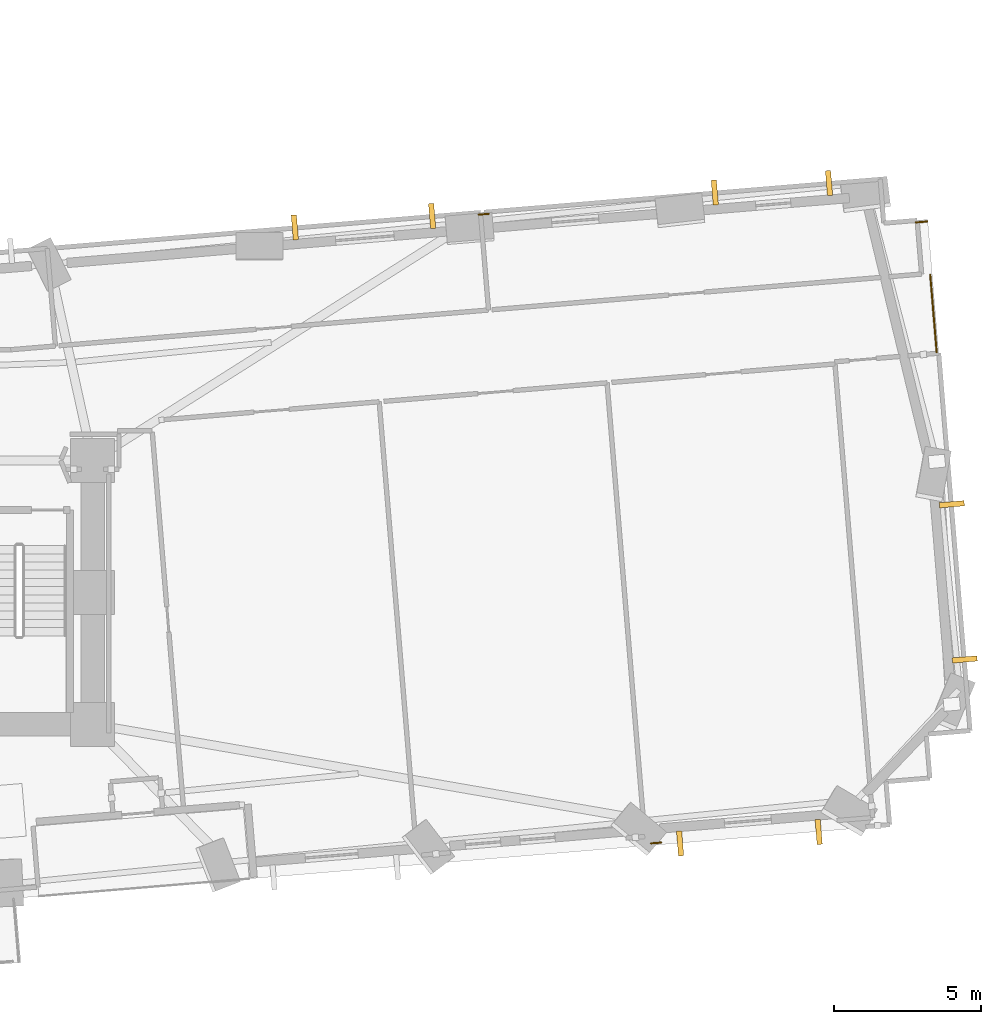
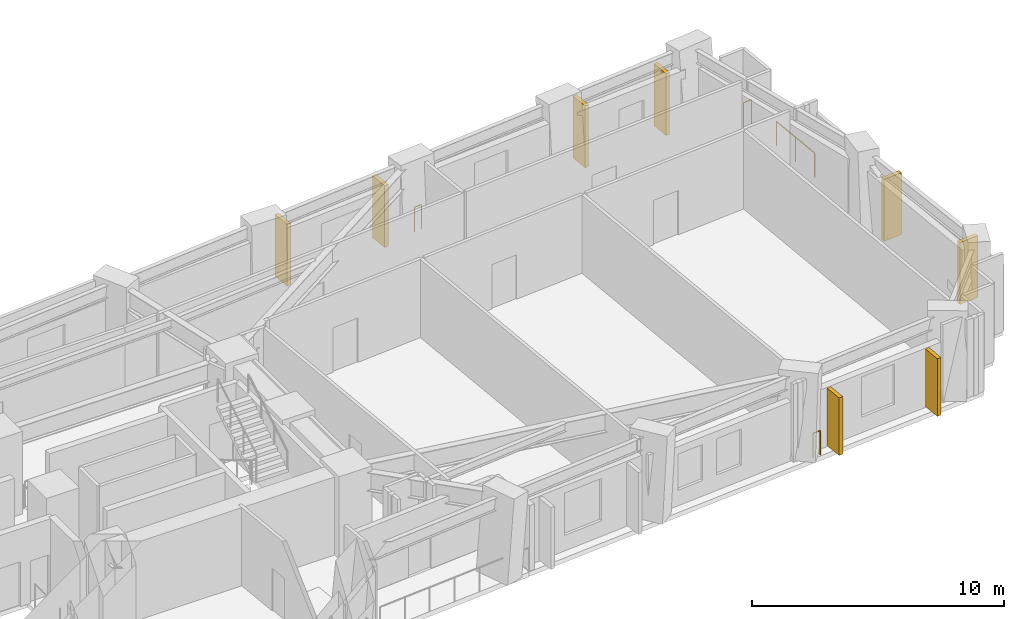
# One storey, part 13 of 14: 8 shading devices, 4 railings.
"""IFC4 building model written with IfcOpenShell, lengths in metres."""

from ifc_helpers import new_model, si_unit, direction, frame, origin, origin_2d, place, context, subcontext, project, spatial, rectangle, circle, extrude, material, layer, layer_set, type_object, element, save


model = new_model("IFC4")

# Units and contexts
model_context = context("Model", 3, precision=1e-05, world=origin(), true_north=direction((0.0, 1.0)))
body_context = subcontext(model_context, "Body", "Model", "MODEL_VIEW")
ifc_project = project(units=[si_unit("LENGTHUNIT", "METRE"), si_unit("AREAUNIT", "SQUARE_METRE"), si_unit("VOLUMEUNIT", "CUBIC_METRE"), si_unit("PLANEANGLEUNIT", "RADIAN"), si_unit("MASSUNIT", "GRAM", prefix="KILO")], contexts=[model_context])

# Site, building, storey
site_placement = place(None, origin())
site = spatial("IfcSite", under=ifc_project, at=site_placement, CompositionType="ELEMENT")
building_placement = place(site_placement, origin())
building = spatial("IfcBuilding", under=site, at=building_placement, Name="Gaonmaruhae Medical Tower", CompositionType="ELEMENT")
storey_placement = place(building_placement, frame((0.0, 0.0, 43.0)))
storey = spatial("IfcBuildingStorey", under=building, at=storey_placement, Name="L09", CompositionType="ELEMENT", Elevation=43.0)

# Railings
ifc_material_1 = material(Name="Stainless steel 316L and laminated safety glass", Category="steel")
ifc_layer = layer(ifc_material_1, 0.080078125)
ifc_layer_set = layer_set([ifc_layer], Name="Stainless steel 316L and laminated safety glass")
railing_type = type_object("IfcRailingType", Name="GD-120 Outdoor Terrace Safety Glass & Steel Balustrade", PredefinedType="BALUSTRADE", material=ifc_layer_set)
railing_1_placement = place(storey_placement, frame((48.767822265625, 25.1875, 0.0)))
element("IfcRailing", 1, at=railing_1_placement, inside=storey, type_object=railing_type, Name="L09 Perimeter Slab Edge Safety Balustrade 03", PredefinedType="BALUSTRADE", context=body_context, shape_type="SweptSolid", body=[
    extrude(circle(Radius=0.02392578125, at=origin_2d()), frame((0.0, 0.0, 1.17578125), z_axis=(0.99658525871, 0.082570104288, 0.0), x_axis=(-0.082570104288, 0.99658525871, 0.0)), (0.0, 0.0, 1.0), 0.340087890625),
    extrude(circle(Radius=0.02099609375, at=origin_2d()), origin(), (0.0, 0.0, 1.0), 1.15185546875),
    extrude(circle(Radius=0.02099609375, at=origin_2d()), frame((0.3388671875, 0.028076171875, 0.0)), (0.0, 0.0, 1.0), 1.15185546875),
])
railing_2_placement = place(storey_placement, frame((63.679931640625, 24.92138671875, 0.0)))
element("IfcRailing", 2, at=railing_2_placement, inside=storey, type_object=railing_type, Name="L09 Perimeter Slab Edge Safety Balustrade 04", PredefinedType="BALUSTRADE", context=body_context, shape_type="SweptSolid", body=[
    extrude(circle(Radius=0.02392578125, at=origin_2d()), frame((0.0, 0.0, 1.17578125), z_axis=(0.996588421833, 0.082531917873, 0.0), x_axis=(-0.082531917873, 0.996588421833, 0.0)), (0.0, 0.0, 1.0), 0.393310546875),
    extrude(circle(Radius=0.02099609375, at=origin_2d()), origin(), (0.0, 0.0, 1.0), 1.15185546875),
    extrude(circle(Radius=0.02099609375, at=origin_2d()), frame((0.39208984375, 0.032470703125, 0.0)), (0.0, 0.0, 1.0), 1.15185546875),
])
railing_3_placement = place(storey_placement, frame((64.17236328125, 23.1416015625, 0.0)))
element("IfcRailing", 3, at=railing_3_placement, inside=storey, type_object=railing_type, Name="L09 Perimeter Slab Edge Safety Balustrade 05", PredefinedType="BALUSTRADE", context=body_context, shape_type="SweptSolid", body=[
    extrude(circle(Radius=0.02392578125, at=origin_2d()), frame((0.0, 0.0, 1.17578125), z_axis=(0.08278722195, -0.996567246041, 0.0), x_axis=(0.996567246041, 0.08278722195, 0.0)), (0.0, 0.0, 1.0), 2.659912109375),
    extrude(circle(Radius=0.02099609375, at=origin_2d()), origin(), (0.0, 0.0, 1.0), 1.15185546875),
    extrude(circle(Radius=0.02099609375, at=origin_2d()), frame((0.110107421875, -1.325439453125, 0.0)), (0.0, 0.0, 1.0), 1.15185546875),
    extrude(circle(Radius=0.02099609375, at=origin_2d()), frame((0.22021484375, -2.65087890625, 0.0)), (0.0, 0.0, 1.0), 1.15185546875),
])
railing_4_placement = place(storey_placement, frame((54.987548828125, 3.768798828125, 0.0)))
element("IfcRailing", 4, at=railing_4_placement, inside=storey, type_object=railing_type, Name="L09 Perimeter Slab Edge Safety Balustrade 06", PredefinedType="BALUSTRADE", context=body_context, shape_type="SweptSolid", body=[
    extrude(circle(Radius=0.02392578125, at=origin_2d()), frame((0.0, 0.0, 1.17578125), z_axis=(-0.996575447248, -0.082688438985, 0.0), x_axis=(0.082688438985, -0.996575447248, 0.0)), (0.0, 0.0, 1.0), 0.339599609375),
    extrude(circle(Radius=0.02099609375, at=origin_2d()), origin(), (0.0, 0.0, 1.0), 1.15185546875),
    extrude(circle(Radius=0.02099609375, at=origin_2d()), frame((-0.33837890625, -0.028076171875, 0.0)), (0.0, 0.0, 1.0), 1.15185546875),
])

# Shading devices
ifc_material_2 = material(Name="Pigmented coral precast concrete C45/55", Category="concrete")
shading_device_type = type_object("IfcShadingDeviceType", Name="SD-FIN1 Tower Vertical Coral Precast Shading Fin", PredefinedType="USERDEFINED", material=ifc_material_2)
for number, where, z_axis, x_axis, name in (
    (5, (60.368408203125, 4.130615234375, 0.0400390625), (0.0, 0.0, 1.0), (-0.996565502498, -0.082808207512, 0.0), "L09 Vertical Coral Precast Shading Fin S07"),
    (6, (55.64013671875, 3.73779296875, 0.0400390625), (0.0, 0.0, 1.0), (-0.996565502498, -0.082808207512, 0.0), "L09 Vertical Coral Precast Shading Fin S07B"),
):
    element("IfcShadingDevice", number, at=place(storey_placement, frame(where, z_axis=z_axis, x_axis=x_axis)), inside=storey, type_object=shading_device_type, Name=name, ObjectType="FIN", PredefinedType="USERDEFINED", context=body_context, shape_type="SweptSolid", body=[
        extrude(rectangle(XDim=0.179931640625, YDim=0.85009765625, at=origin_2d()), origin(), (0.0, 0.0, 1.0), 2.784912109375),
    ])
for number, where, z_axis, x_axis, name in (
    (7, (64.90869140625, 15.306884765625, 0.08251953125), (0.0, 0.0, 1.0), (0.082808207512, -0.996565502498, 0.0), "L09 Vertical Coral Precast Shading Fin E01"),
    (8, (65.348388671875, 10.014892578125, 0.08251953125), (0.0, 0.0, 1.0), (0.082808207512, -0.996565502498, 0.0), "L09 Vertical Coral Precast Shading Fin E01B"),
    (9, (56.82470703125, 25.942138671875, 0.08251953125), (0.0, 0.0, 1.0), (0.996565502498, 0.082808207512, 0.0), "L09 Vertical Coral Precast Shading Fin E03"),
    (10, (60.720458984375, 26.265869140625, 0.08251953125), (0.0, 0.0, 1.0), (0.996565502498, 0.082808207512, 0.0), "L09 Vertical Coral Precast Shading Fin E03B"),
    (11, (42.499755859375, 24.751708984375, 0.08251953125), (0.0, 0.0, 1.0), (0.996565502498, 0.082808207512, 0.0), "L09 Vertical Coral Precast Shading Fin EN02"),
    (12, (47.18310546875, 25.140869140625, 0.08251953125), (0.0, 0.0, 1.0), (0.996565502498, 0.082808207512, 0.0), "L09 Vertical Coral Precast Shading Fin EN02B"),
):
    element("IfcShadingDevice", number, at=place(storey_placement, frame(where, z_axis=z_axis, x_axis=x_axis)), inside=storey, type_object=shading_device_type, Name=name, ObjectType="FIN", PredefinedType="USERDEFINED", context=body_context, shape_type="SweptSolid", body=[
        extrude(rectangle(XDim=0.179931640625, YDim=0.85009765625, at=origin_2d()), origin(), (0.0, 0.0, 1.0), 3.0),
    ])

save(model, "model.ifc")
